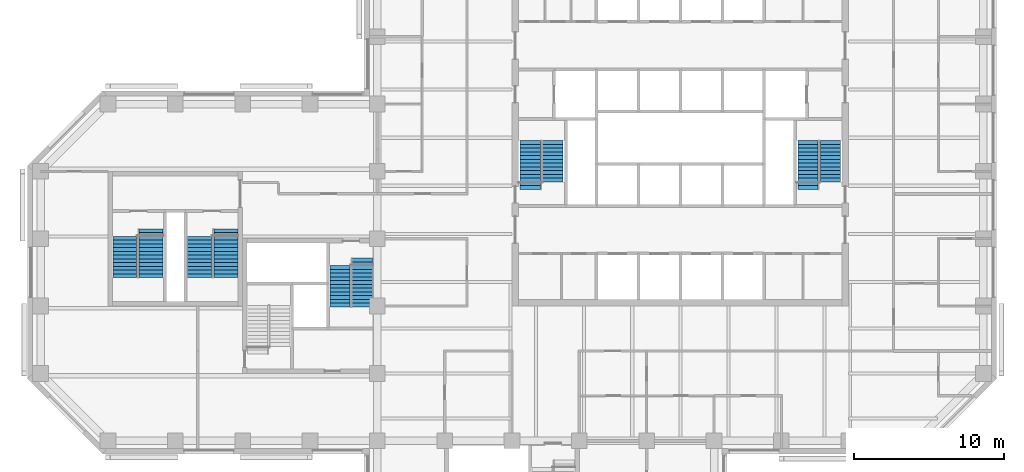
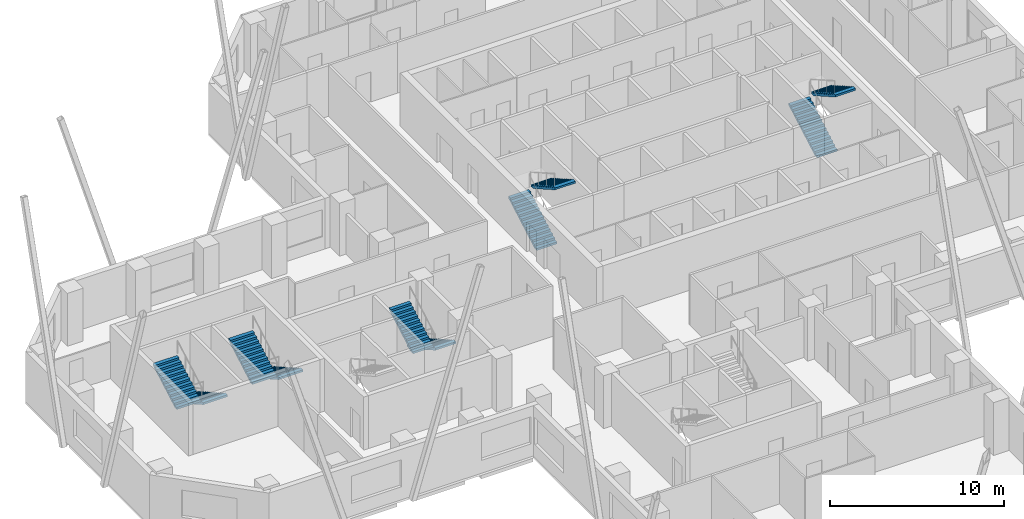
# One storey, part 10 of 11: 10 stair flights, 5 elements without a shape of their own.
"""IFC4 building model written with IfcOpenShell, lengths in metres."""

from ifc_helpers import new_model, si_unit, direction, frame, origin, place, context, subcontext, project, spatial, polyline, outline, extrude, material, type_object, element, aggregate, save


model = new_model("IFC4")

# Units and contexts
model_context = context("Model", 3, precision=1e-05, world=origin(), true_north=direction((0.0, 1.0)))
body_context = subcontext(model_context, "Body", "Model", "MODEL_VIEW")
ifc_project = project(units=[si_unit("LENGTHUNIT", "METRE"), si_unit("AREAUNIT", "SQUARE_METRE"), si_unit("VOLUMEUNIT", "CUBIC_METRE"), si_unit("PLANEANGLEUNIT", "RADIAN"), si_unit("MASSUNIT", "GRAM", prefix="KILO")], contexts=[model_context])

# Site, building, storey
site_placement = place(None, origin())
site = spatial("IfcSite", under=ifc_project, at=site_placement, CompositionType="ELEMENT")
building_placement = place(site_placement, origin())
building = spatial("IfcBuilding", under=site, at=building_placement, Name="Quoin Convention Tower", CompositionType="ELEMENT")
storey_placement = place(building_placement, frame((0.0, 0.0, 112.199951171875)))
storey = spatial("IfcBuildingStorey", under=building, at=storey_placement, Name="L29", CompositionType="ELEMENT", Elevation=112.199951171875)

# Stair, stair flights
ifc_material = material(Name="Concrete C40", Category="concrete")
stair_type_1 = type_object("IfcStairType", Name="Exit stair two-flight 1350", PredefinedType="HALF_TURN_STAIR", material=ifc_material)
stair_1_placement = place(storey_placement, origin())
stair_1 = element("IfcStair", 1, at=stair_1_placement, inside=storey, type_object=stair_type_1, Name="SD1 L29", PredefinedType="HALF_TURN_STAIR")
stair_flight_type_1 = type_object("IfcStairFlightType", Name="Stair flight 1350", PredefinedType="STRAIGHT", material=ifc_material)
stair_flight_1_placement = place(storey_placement, frame((46.22509765625, 57.300048828125, 0.0), z_axis=(0.0, 0.0, 1.0), x_axis=(0.0, 1.0, 0.0)))
stair_flight_1 = element("IfcStairFlight", 2, at=stair_flight_1_placement, type_object=stair_flight_type_1, Name="ST1 flight 1", NumberOfRisers=14, NumberOfTreads=13, PredefinedType="STRAIGHT", RiserHeight=0.142307692, TreadLength=0.25, context=body_context, shape_type="SweptSolid", body=[
    extrude(outline(polyline([(0.0, 0.0), (0.0, 0.142333984375), (0.25, 0.142333984375), (0.25, 0.28466796875), (0.5, 0.28466796875), (0.5, 0.427001953125), (0.75, 0.427001953125), (0.75, 0.5693359375), (1.0, 0.5693359375), (1.0, 0.71142578125), (1.25, 0.71142578125), (1.25, 0.853759765625), (1.5, 0.853759765625), (1.5, 0.99609375), (1.75, 0.99609375), (1.75, 1.138427734375), (2.0, 1.138427734375), (2.0, 1.28076171875), (2.25, 1.28076171875), (2.25, 1.423095703125), (2.5, 1.423095703125), (2.5, 1.5654296875), (2.75, 1.5654296875), (2.75, 1.707763671875), (3.0, 1.707763671875), (3.0, 1.85009765625), (3.25, 1.85009765625), (3.25, 1.9921875), (3.25, 1.711669921875), (0.242919921875, 0.0), (0.0, 0.0)])), frame((0.0, 0.675048828125, 0.0), z_axis=(0.0, -1.0, 0.0), x_axis=(1.0, 0.0, 0.0)), (0.0, 0.0, 1.0), 1.35009765625),
])
stair_flight_2_placement = place(storey_placement, frame((47.72509765625, 60.550048828125, 1.992431640625), z_axis=(0.0, 0.0, 1.0), x_axis=(0.0, -1.0, 0.0)))
stair_flight_2 = element("IfcStairFlight", 3, at=stair_flight_2_placement, type_object=stair_flight_type_1, Name="ST1 flight 2", NumberOfRisers=12, NumberOfTreads=11, PredefinedType="STRAIGHT", RiserHeight=0.142307692, TreadLength=0.25, context=body_context, shape_type="SweptSolid", body=[
    extrude(outline(polyline([(0.0, 0.0), (0.0, 0.142333984375), (0.25, 0.142333984375), (0.25, 0.28466796875), (0.5, 0.28466796875), (0.5, 0.427001953125), (0.75, 0.427001953125), (0.75, 0.5693359375), (1.0, 0.5693359375), (1.0, 0.71142578125), (1.25, 0.71142578125), (1.25, 0.853759765625), (1.5, 0.853759765625), (1.5, 0.99609375), (1.75, 0.99609375), (1.75, 1.138427734375), (2.0, 1.138427734375), (2.0, 1.28076171875), (2.25, 1.28076171875), (2.25, 1.423095703125), (2.5, 1.423095703125), (2.5, 1.5654296875), (2.75, 1.5654296875), (2.75, 1.707763671875), (2.75, 1.42724609375), (0.242919921875, 0.0), (0.0, 0.0)])), frame((0.0, 0.675048828125, 0.0), z_axis=(0.0, -1.0, 0.0), x_axis=(1.0, 0.0, 0.0)), (0.0, 0.0, 1.0), 1.35009765625),
])
aggregate(stair_1, [stair_flight_1, stair_flight_2])

stair_2_placement = place(storey_placement, origin())
stair_2 = element("IfcStair", 4, at=stair_2_placement, inside=storey, type_object=stair_type_1, Name="SD2 L29", PredefinedType="HALF_TURN_STAIR")
stair_flight_3_placement = place(storey_placement, frame((64.77490234375, 57.300048828125, 0.0), z_axis=(0.0, 0.0, 1.0), x_axis=(0.0, 1.0, 0.0)))
stair_flight_3 = element("IfcStairFlight", 5, at=stair_flight_3_placement, type_object=stair_flight_type_1, Name="ST2 flight 1", NumberOfRisers=14, NumberOfTreads=13, PredefinedType="STRAIGHT", RiserHeight=0.142307692, TreadLength=0.25, context=body_context, shape_type="SweptSolid", body=[
    extrude(outline(polyline([(0.0, 0.0), (0.0, 0.142333984375), (0.25, 0.142333984375), (0.25, 0.28466796875), (0.5, 0.28466796875), (0.5, 0.427001953125), (0.75, 0.427001953125), (0.75, 0.5693359375), (1.0, 0.5693359375), (1.0, 0.71142578125), (1.25, 0.71142578125), (1.25, 0.853759765625), (1.5, 0.853759765625), (1.5, 0.99609375), (1.75, 0.99609375), (1.75, 1.138427734375), (2.0, 1.138427734375), (2.0, 1.28076171875), (2.25, 1.28076171875), (2.25, 1.423095703125), (2.5, 1.423095703125), (2.5, 1.5654296875), (2.75, 1.5654296875), (2.75, 1.707763671875), (3.0, 1.707763671875), (3.0, 1.85009765625), (3.25, 1.85009765625), (3.25, 1.9921875), (3.25, 1.711669921875), (0.242919921875, 0.0), (0.0, 0.0)])), frame((0.0, 0.675048828125, 0.0), z_axis=(0.0, -1.0, 0.0), x_axis=(1.0, 0.0, 0.0)), (0.0, 0.0, 1.0), 1.35009765625),
])
stair_flight_4_placement = place(storey_placement, frame((66.27490234375, 60.550048828125, 1.992431640625), z_axis=(0.0, 0.0, 1.0), x_axis=(0.0, -1.0, 0.0)))
stair_flight_4 = element("IfcStairFlight", 6, at=stair_flight_4_placement, type_object=stair_flight_type_1, Name="ST2 flight 2", NumberOfRisers=12, NumberOfTreads=11, PredefinedType="STRAIGHT", RiserHeight=0.142307692, TreadLength=0.25, context=body_context, shape_type="SweptSolid", body=[
    extrude(outline(polyline([(0.0, 0.0), (0.0, 0.142333984375), (0.25, 0.142333984375), (0.25, 0.28466796875), (0.5, 0.28466796875), (0.5, 0.427001953125), (0.75, 0.427001953125), (0.75, 0.5693359375), (1.0, 0.5693359375), (1.0, 0.71142578125), (1.25, 0.71142578125), (1.25, 0.853759765625), (1.5, 0.853759765625), (1.5, 0.99609375), (1.75, 0.99609375), (1.75, 1.138427734375), (2.0, 1.138427734375), (2.0, 1.28076171875), (2.25, 1.28076171875), (2.25, 1.423095703125), (2.5, 1.423095703125), (2.5, 1.5654296875), (2.75, 1.5654296875), (2.75, 1.707763671875), (2.75, 1.42724609375), (0.242919921875, 0.0), (0.0, 0.0)])), frame((0.0, 0.675048828125, 0.0), z_axis=(0.0, -1.0, 0.0), x_axis=(1.0, 0.0, 0.0)), (0.0, 0.0, 1.0), 1.35009765625),
])
aggregate(stair_2, [stair_flight_3, stair_flight_4])

stair_3_placement = place(storey_placement, origin())
stair_3 = element("IfcStair", 7, at=stair_3_placement, inside=storey, type_object=stair_type_1, Name="SD4 L29", PredefinedType="HALF_TURN_STAIR")
stair_flight_5_placement = place(storey_placement, frame((35.0, 52.699951171875, 0.0), z_axis=(0.0, 0.0, 1.0), x_axis=(0.0, -1.0, 0.0)))
stair_flight_5 = element("IfcStairFlight", 8, at=stair_flight_5_placement, type_object=stair_flight_type_1, Name="ST4 flight 1", NumberOfRisers=14, NumberOfTreads=13, PredefinedType="STRAIGHT", RiserHeight=0.142307692, TreadLength=0.25, context=body_context, shape_type="SweptSolid", body=[
    extrude(outline(polyline([(0.0, 0.0), (0.0, 0.142333984375), (0.25, 0.142333984375), (0.25, 0.28466796875), (0.5, 0.28466796875), (0.5, 0.427001953125), (0.75, 0.427001953125), (0.75, 0.5693359375), (1.0, 0.5693359375), (1.0, 0.71142578125), (1.25, 0.71142578125), (1.25, 0.853759765625), (1.5, 0.853759765625), (1.5, 0.99609375), (1.75, 0.99609375), (1.75, 1.138427734375), (2.0, 1.138427734375), (2.0, 1.28076171875), (2.25, 1.28076171875), (2.25, 1.423095703125), (2.5, 1.423095703125), (2.5, 1.5654296875), (2.75, 1.5654296875), (2.75, 1.707763671875), (3.0, 1.707763671875), (3.0, 1.85009765625), (3.25, 1.85009765625), (3.25, 1.9921875), (3.25, 1.711669921875), (0.242919921875, 0.0), (0.0, 0.0)])), frame((0.0, 0.675048828125, 0.0), z_axis=(0.0, -1.0, 0.0), x_axis=(1.0, 0.0, 0.0)), (0.0, 0.0, 1.0), 1.35009765625),
])
stair_flight_6_placement = place(storey_placement, frame((33.5, 49.449951171875, 1.992431640625), z_axis=(0.0, 0.0, 1.0), x_axis=(0.0, 1.0, 0.0)))
stair_flight_6 = element("IfcStairFlight", 9, at=stair_flight_6_placement, type_object=stair_flight_type_1, Name="ST4 flight 2", NumberOfRisers=12, NumberOfTreads=11, PredefinedType="STRAIGHT", RiserHeight=0.142307692, TreadLength=0.25, context=body_context, shape_type="SweptSolid", body=[
    extrude(outline(polyline([(0.0, 0.0), (0.0, 0.142333984375), (0.25, 0.142333984375), (0.25, 0.28466796875), (0.5, 0.28466796875), (0.5, 0.427001953125), (0.75, 0.427001953125), (0.75, 0.5693359375), (1.0, 0.5693359375), (1.0, 0.71142578125), (1.25, 0.71142578125), (1.25, 0.853759765625), (1.5, 0.853759765625), (1.5, 0.99609375), (1.75, 0.99609375), (1.75, 1.138427734375), (2.0, 1.138427734375), (2.0, 1.28076171875), (2.25, 1.28076171875), (2.25, 1.423095703125), (2.5, 1.423095703125), (2.5, 1.5654296875), (2.75, 1.5654296875), (2.75, 1.707763671875), (2.75, 1.42724609375), (0.242919921875, 0.0), (0.0, 0.0)])), frame((0.0, 0.675048828125, 0.0), z_axis=(0.0, -1.0, 0.0), x_axis=(1.0, 0.0, 0.0)), (0.0, 0.0, 1.0), 1.35009765625),
])
aggregate(stair_3, [stair_flight_5, stair_flight_6])

stair_type_2 = type_object("IfcStairType", Name="Exit stair two-flight 1600", PredefinedType="HALF_TURN_STAIR", material=ifc_material)
stair_4_placement = place(storey_placement, origin())
stair_4 = element("IfcStair", 10, at=stair_4_placement, inside=storey, type_object=stair_type_2, Name="SD11 L29", PredefinedType="HALF_TURN_STAIR")
stair_flight_type_2 = type_object("IfcStairFlightType", Name="Stair flight 1600", PredefinedType="STRAIGHT", material=ifc_material)
stair_flight_7_placement = place(storey_placement, frame((20.875, 54.64990234375, 0.0), z_axis=(0.0, 0.0, 1.0), x_axis=(0.0, -1.0, 0.0)))
stair_flight_7 = element("IfcStairFlight", 11, at=stair_flight_7_placement, type_object=stair_flight_type_2, Name="ST11 flight 1", NumberOfRisers=14, NumberOfTreads=13, PredefinedType="STRAIGHT", RiserHeight=0.142307692, TreadLength=0.25, context=body_context, shape_type="SweptSolid", body=[
    extrude(outline(polyline([(0.0, 0.0), (0.0, 0.142333984375), (0.25, 0.142333984375), (0.25, 0.28466796875), (0.5, 0.28466796875), (0.5, 0.427001953125), (0.75, 0.427001953125), (0.75, 0.5693359375), (1.0, 0.5693359375), (1.0, 0.71142578125), (1.25, 0.71142578125), (1.25, 0.853759765625), (1.5, 0.853759765625), (1.5, 0.99609375), (1.75, 0.99609375), (1.75, 1.138427734375), (2.0, 1.138427734375), (2.0, 1.28076171875), (2.25, 1.28076171875), (2.25, 1.423095703125), (2.5, 1.423095703125), (2.5, 1.5654296875), (2.75, 1.5654296875), (2.75, 1.707763671875), (3.0, 1.707763671875), (3.0, 1.85009765625), (3.25, 1.85009765625), (3.25, 1.9921875), (3.25, 1.711669921875), (0.242919921875, 0.0), (0.0, 0.0)])), frame((0.0, 0.800048828125, 0.0), z_axis=(0.0, -1.0, 0.0), x_axis=(1.0, 0.0, 0.0)), (0.0, 0.0, 1.0), 1.60009765625),
])
stair_flight_8_placement = place(storey_placement, frame((19.125, 51.39990234375, 1.992431640625), z_axis=(0.0, 0.0, 1.0), x_axis=(0.0, 1.0, 0.0)))
stair_flight_8 = element("IfcStairFlight", 12, at=stair_flight_8_placement, type_object=stair_flight_type_2, Name="ST11 flight 2", NumberOfRisers=12, NumberOfTreads=11, PredefinedType="STRAIGHT", RiserHeight=0.142307692, TreadLength=0.25, context=body_context, shape_type="SweptSolid", body=[
    extrude(outline(polyline([(0.0, 0.0), (0.0, 0.142333984375), (0.25, 0.142333984375), (0.25, 0.28466796875), (0.5, 0.28466796875), (0.5, 0.427001953125), (0.75, 0.427001953125), (0.75, 0.5693359375), (1.0, 0.5693359375), (1.0, 0.71142578125), (1.25, 0.71142578125), (1.25, 0.853759765625), (1.5, 0.853759765625), (1.5, 0.99609375), (1.75, 0.99609375), (1.75, 1.138427734375), (2.0, 1.138427734375), (2.0, 1.28076171875), (2.25, 1.28076171875), (2.25, 1.423095703125), (2.5, 1.423095703125), (2.5, 1.5654296875), (2.75, 1.5654296875), (2.75, 1.707763671875), (2.75, 1.42724609375), (0.242919921875, 0.0), (0.0, 0.0)])), frame((0.0, 0.800048828125, 0.0), z_axis=(0.0, -1.0, 0.0), x_axis=(1.0, 0.0, 0.0)), (0.0, 0.0, 1.0), 1.60009765625),
])
aggregate(stair_4, [stair_flight_7, stair_flight_8])

stair_5_placement = place(storey_placement, origin())
stair_5 = element("IfcStair", 13, at=stair_5_placement, inside=storey, type_object=stair_type_2, Name="SD12 L29", PredefinedType="HALF_TURN_STAIR")
stair_flight_9_placement = place(storey_placement, frame((25.875, 54.64990234375, 0.0), z_axis=(0.0, 0.0, 1.0), x_axis=(0.0, -1.0, 0.0)))
stair_flight_9 = element("IfcStairFlight", 14, at=stair_flight_9_placement, type_object=stair_flight_type_2, Name="ST12 flight 1", NumberOfRisers=14, NumberOfTreads=13, PredefinedType="STRAIGHT", RiserHeight=0.142307692, TreadLength=0.25, context=body_context, shape_type="SweptSolid", body=[
    extrude(outline(polyline([(0.0, 0.0), (0.0, 0.142333984375), (0.25, 0.142333984375), (0.25, 0.28466796875), (0.5, 0.28466796875), (0.5, 0.427001953125), (0.75, 0.427001953125), (0.75, 0.5693359375), (1.0, 0.5693359375), (1.0, 0.71142578125), (1.25, 0.71142578125), (1.25, 0.853759765625), (1.5, 0.853759765625), (1.5, 0.99609375), (1.75, 0.99609375), (1.75, 1.138427734375), (2.0, 1.138427734375), (2.0, 1.28076171875), (2.25, 1.28076171875), (2.25, 1.423095703125), (2.5, 1.423095703125), (2.5, 1.5654296875), (2.75, 1.5654296875), (2.75, 1.707763671875), (3.0, 1.707763671875), (3.0, 1.85009765625), (3.25, 1.85009765625), (3.25, 1.9921875), (3.25, 1.711669921875), (0.242919921875, 0.0), (0.0, 0.0)])), frame((0.0, 0.800048828125, 0.0), z_axis=(0.0, -1.0, 0.0), x_axis=(1.0, 0.0, 0.0)), (0.0, 0.0, 1.0), 1.60009765625),
])
stair_flight_10_placement = place(storey_placement, frame((24.125, 51.39990234375, 1.992431640625), z_axis=(0.0, 0.0, 1.0), x_axis=(0.0, 1.0, 0.0)))
stair_flight_10 = element("IfcStairFlight", 15, at=stair_flight_10_placement, type_object=stair_flight_type_2, Name="ST12 flight 2", NumberOfRisers=12, NumberOfTreads=11, PredefinedType="STRAIGHT", RiserHeight=0.142307692, TreadLength=0.25, context=body_context, shape_type="SweptSolid", body=[
    extrude(outline(polyline([(0.0, 0.0), (0.0, 0.142333984375), (0.25, 0.142333984375), (0.25, 0.28466796875), (0.5, 0.28466796875), (0.5, 0.427001953125), (0.75, 0.427001953125), (0.75, 0.5693359375), (1.0, 0.5693359375), (1.0, 0.71142578125), (1.25, 0.71142578125), (1.25, 0.853759765625), (1.5, 0.853759765625), (1.5, 0.99609375), (1.75, 0.99609375), (1.75, 1.138427734375), (2.0, 1.138427734375), (2.0, 1.28076171875), (2.25, 1.28076171875), (2.25, 1.423095703125), (2.5, 1.423095703125), (2.5, 1.5654296875), (2.75, 1.5654296875), (2.75, 1.707763671875), (2.75, 1.42724609375), (0.242919921875, 0.0), (0.0, 0.0)])), frame((0.0, 0.800048828125, 0.0), z_axis=(0.0, -1.0, 0.0), x_axis=(1.0, 0.0, 0.0)), (0.0, 0.0, 1.0), 1.60009765625),
])
aggregate(stair_5, [stair_flight_9, stair_flight_10])

save(model, "model.ifc")
